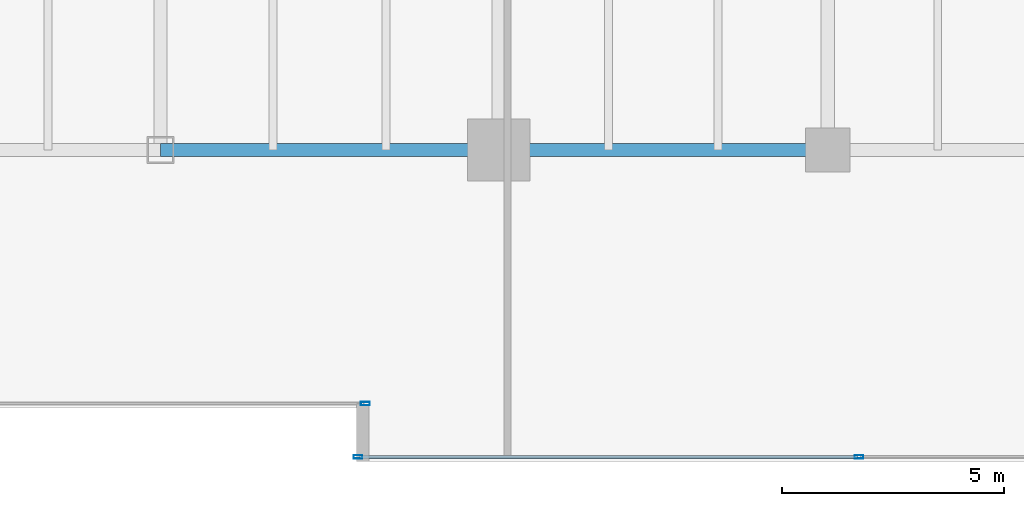
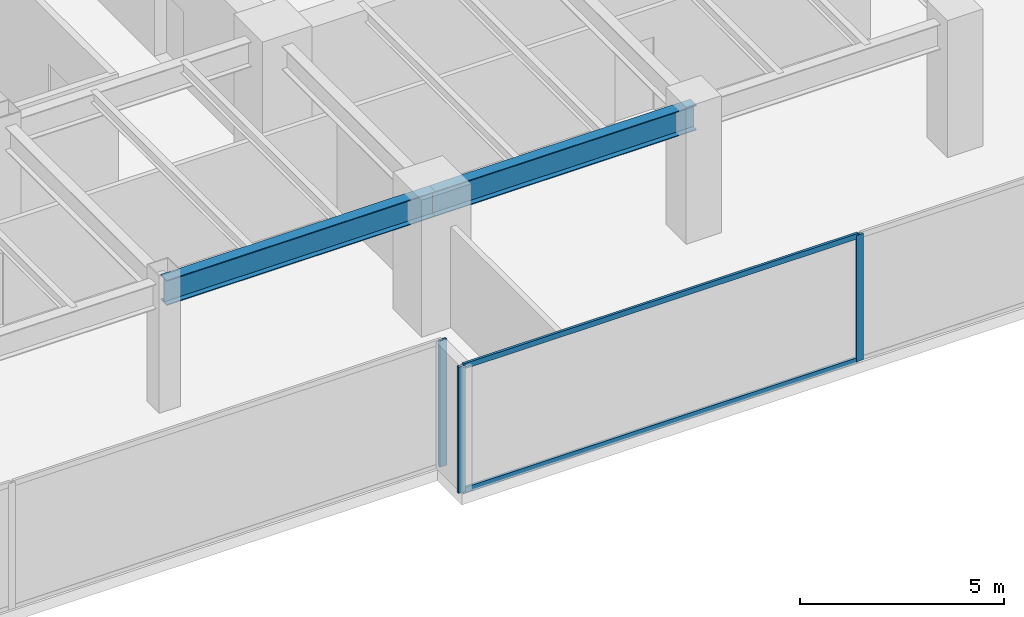
# One storey, part 10 of 35: 5 members, 2 beams, 2 elements without a shape of their own.
"""IFC4 building model written with IfcOpenShell, lengths in metres."""

from ifc_helpers import new_model, si_unit, direction, frame, origin, origin_2d, place, context, subcontext, project, spatial, hollow_rectangle, i_section, extrude, source, transform, mapped, material, layer, layer_set, material_profile, profile_set, type_object, type_shapes, element, aggregate, save


model = new_model("IFC4")

# Units and contexts
model_context = context("Model", 3, precision=1e-05, world=origin(), true_north=direction((0.0, 1.0)))
body_context = subcontext(model_context, "Body", "Model", "MODEL_VIEW")
ifc_project = project(units=[si_unit("LENGTHUNIT", "METRE"), si_unit("AREAUNIT", "SQUARE_METRE"), si_unit("VOLUMEUNIT", "CUBIC_METRE"), si_unit("PLANEANGLEUNIT", "RADIAN"), si_unit("MASSUNIT", "GRAM", prefix="KILO")], contexts=[model_context])

# Site, building, storey
site_placement = place(None, origin())
site = spatial("IfcSite", under=ifc_project, at=site_placement, CompositionType="ELEMENT")
building_placement = place(site_placement, origin())
building = spatial("IfcBuilding", under=site, at=building_placement, Name="Haelvirn Gate Laboratories", CompositionType="ELEMENT")
storey_placement = place(building_placement, frame((0.0, 0.0, 37.5)))
storey = spatial("IfcBuildingStorey", under=building, at=storey_placement, Name="L09", CompositionType="ELEMENT", Elevation=37.5)

# Beams
ifc_material_1 = material(Name="Steel SM355", Category="steel")
ifc_material_profile_1 = material_profile(ifc_material_1, i_section(OverallWidth=0.300048828125, OverallDepth=0.75, WebThickness=0.013916015625, FlangeThickness=0.02392578125, at=origin_2d()), Name="H-750x300x14x24")
ifc_profile_set_1 = profile_set([ifc_material_profile_1], Name="Steel SM355")
beam_type = type_object("IfcBeamType", Name="BM-G-750", PredefinedType="BEAM", material=ifc_profile_set_1)
shared_shape_1 = source(origin(), body_context, "Body", "SweptSolid", [
    extrude(i_section(OverallWidth=0.300048828125, OverallDepth=0.75, WebThickness=0.013916015625, FlangeThickness=0.02392578125, at=origin_2d()), origin(), (0.0, 0.0, 1.0), 7.39990234375),
])
beam_1_placement = place(storey_placement, frame((52.60009765625, 7.0, 3.405029296875), z_axis=(1.0, 0.0, 0.0), x_axis=(0.0, 1.0, 0.0)))
element("IfcBeam", 1, at=beam_1_placement, inside=storey, type_object=beam_type, Name="L09 Primary Girder Y7.0 (52.6-60.0)", PredefinedType="BEAM", context=body_context, shape_type="MappedRepresentation", body=[
    mapped(shared_shape_1, transform((0.0, 0.0, 0.0), scale=1.0)),
])
shared_shape_2 = source(origin(), body_context, "Body", "SweptSolid", [
    extrude(i_section(OverallWidth=0.300048828125, OverallDepth=0.75, WebThickness=0.013916015625, FlangeThickness=0.02392578125, at=origin_2d()), origin(), (0.0, 0.0, 1.0), 7.60009765625),
])
type_shapes(beam_type, [shared_shape_1, shared_shape_2])
beam_2_placement = place(storey_placement, frame((45.0, 7.0, 3.405029296875), z_axis=(1.0, 0.0, 0.0), x_axis=(0.0, 1.0, 0.0)))
element("IfcBeam", 2, at=beam_2_placement, inside=storey, type_object=beam_type, Name="L09 Primary Girder Y7.0 (45.0-52.6)", PredefinedType="BEAM", context=body_context, shape_type="MappedRepresentation", body=[
    mapped(shared_shape_2, transform((0.0, 0.0, 0.0), scale=1.0)),
])

# Curtain wall, member
ifc_material_2 = material(Name="Anodised bronze unitised aluminium & triple low-E glass", Category="aluminium")
ifc_layer = layer(ifc_material_2, 0.18408203125, Name="CW-SYS-2")
ifc_layer_set = layer_set([ifc_layer], Name="Anodised bronze unitised aluminium & triple low-E glass")
curtain_wall_type = type_object("IfcCurtainWallType", Name="CW-SYS-2", PredefinedType="NOTDEFINED", material=ifc_layer_set)
curtain_wall_1_placement = place(storey_placement, origin())
curtain_wall_1 = element("IfcCurtainWall", 3, at=curtain_wall_1_placement, inside=storey, type_object=curtain_wall_type, Name="L09 Unitised Curtain Wall CW-L09-P0-E02-1", PredefinedType="NOTDEFINED")
ifc_material_3 = material(Name="Extruded aluminium 6063-T6 (anodised bronze)", Category="aluminium")
ifc_material_profile_2 = material_profile(ifc_material_3, hollow_rectangle(XDim=0.074951171875, YDim=0.199951171875, WallThickness=0.0048828125, at=origin_2d()), Name="CWM-200x75x5")
ifc_profile_set_2 = profile_set([ifc_material_profile_2], Name="Extruded aluminium 6063-T6 (anodised bronze)")
member_type_1 = type_object("IfcMemberType", Name="CWM-T200", PredefinedType="MULLION", material=ifc_profile_set_2)
shared_shape_3 = source(origin(), body_context, "Body", "SweptSolid", [
    extrude(hollow_rectangle(XDim=0.074951171875, YDim=0.199951171875, WallThickness=0.0048828125, at=origin_2d()), origin(), (0.0, 0.0, 1.0), 3.780029296875),
])
type_shapes(member_type_1, [shared_shape_3])
member_1_placement = place(storey_placement, frame((49.6025390625, 1.300048828125, 0.0), z_axis=(0.0, 0.0, 1.0), x_axis=(0.0, 1.0, 0.0)))
member_1 = element("IfcMember", 4, at=member_1_placement, type_object=member_type_1, Name="CW2 mullion 3", PredefinedType="MULLION", context=body_context, shape_type="MappedRepresentation", body=[
    mapped(shared_shape_3, transform((0.0, 0.0, 0.0), scale=1.0)),
])
aggregate(curtain_wall_1, [member_1])

# Curtain wall, members
curtain_wall_2_placement = place(storey_placement, origin())
curtain_wall_2 = element("IfcCurtainWall", 5, at=curtain_wall_2_placement, inside=storey, type_object=curtain_wall_type, Name="L09 Unitised Curtain Wall CW-L09-P0-E04-1", PredefinedType="NOTDEFINED")
member_2_placement = place(storey_placement, frame((49.4375, 0.10009765625, 0.0), z_axis=(0.0, 0.0, 1.0), x_axis=(0.0, 1.0, 0.0)))
member_2 = element("IfcMember", 6, at=member_2_placement, type_object=member_type_1, Name="CW2 mullion 1", PredefinedType="MULLION", context=body_context, shape_type="MappedRepresentation", body=[
    mapped(shared_shape_3, transform((0.0, 0.0, 0.0), scale=1.0)),
])
member_3_placement = place(storey_placement, frame((60.699951171875, 0.10009765625, 0.0), z_axis=(0.0, 0.0, 1.0), x_axis=(0.0, 1.0, 0.0)))
member_3 = element("IfcMember", 7, at=member_3_placement, type_object=member_type_1, Name="CW2 mullion 2", PredefinedType="MULLION", context=body_context, shape_type="MappedRepresentation", body=[
    mapped(shared_shape_3, transform((0.0, 0.0, 0.0), scale=1.0)),
])
ifc_material_profile_3 = material_profile(ifc_material_3, hollow_rectangle(XDim=0.070068359375, YDim=0.159912109375, WallThickness=0.0048828125, at=origin_2d()), Name="CWT-160x70x5")
ifc_profile_set_3 = profile_set([ifc_material_profile_3], Name="Extruded aluminium 6063-T6 (anodised bronze)")
member_type_2 = type_object("IfcMemberType", Name="CWT-T160", PredefinedType="USERDEFINED", material=ifc_profile_set_3)
shared_shape_4 = source(origin(), body_context, "Body", "SweptSolid", [
    extrude(hollow_rectangle(XDim=0.070068359375, YDim=0.159912109375, WallThickness=0.0048828125, at=origin_2d()), origin(), (0.0, 0.0, 1.0), 11.1875),
])
type_shapes(member_type_2, [shared_shape_4])
member_4_placement = place(storey_placement, frame((49.47509765625, 0.10009765625, 0.034912109375), z_axis=(1.0, 0.0, 0.0), x_axis=(0.0, 1.0, 0.0)))
member_4 = element("IfcMember", 8, at=member_4_placement, type_object=member_type_2, Name="CW2 transom 1.1", ObjectType="TRANSOM", PredefinedType="USERDEFINED", context=body_context, shape_type="MappedRepresentation", body=[
    mapped(shared_shape_4, transform((0.0, 0.0, 0.0), scale=1.0)),
])
member_5_placement = place(storey_placement, frame((49.47509765625, 0.10009765625, 3.7451171875), z_axis=(1.0, 0.0, 0.0), x_axis=(0.0, 1.0, 0.0)))
member_5 = element("IfcMember", 9, at=member_5_placement, type_object=member_type_2, Name="CW2 transom 1.2", ObjectType="TRANSOM", PredefinedType="USERDEFINED", context=body_context, shape_type="MappedRepresentation", body=[
    mapped(shared_shape_4, transform((0.0, 0.0, 0.0), scale=1.0)),
])
aggregate(curtain_wall_2, [member_2, member_3, member_4, member_5])

save(model, "model.ifc")
